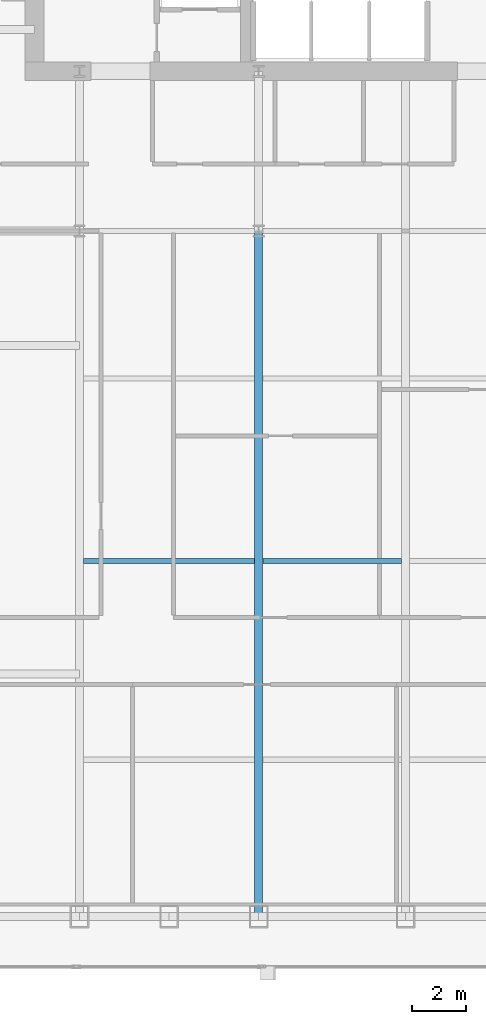
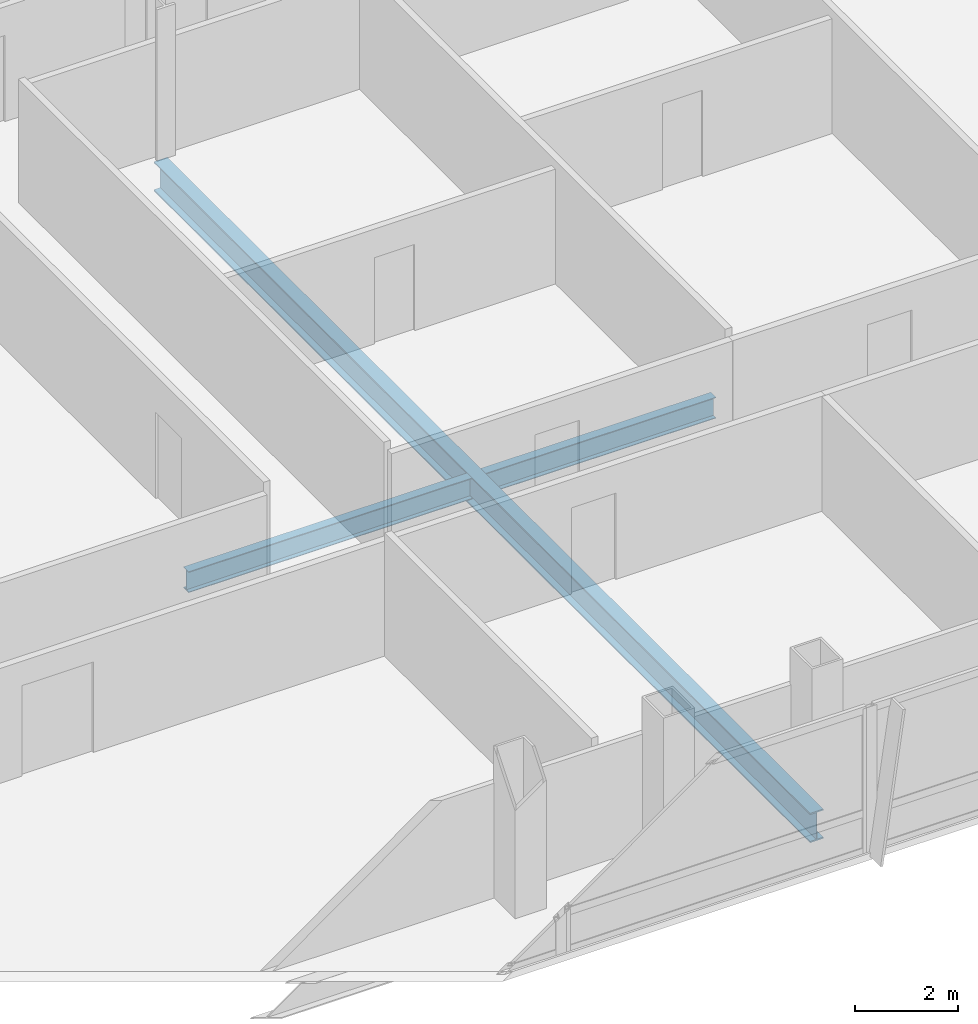
# One storey, part 9 of 29: 3 beams.
"""IFC4 building model written with IfcOpenShell, lengths in metres."""

from ifc_helpers import new_model, si_unit, direction, frame, origin, origin_2d, place, context, subcontext, project, spatial, i_section, extrude, material, material_profile, profile_set, type_object, element, save


model = new_model("IFC4")

# Units and contexts
model_context = context("Model", 3, precision=1e-05, world=origin(), true_north=direction((0.0, 1.0)))
body_context = subcontext(model_context, "Body", "Model", "MODEL_VIEW")
ifc_project = project(units=[si_unit("LENGTHUNIT", "METRE"), si_unit("AREAUNIT", "SQUARE_METRE"), si_unit("VOLUMEUNIT", "CUBIC_METRE"), si_unit("PLANEANGLEUNIT", "RADIAN"), si_unit("MASSUNIT", "GRAM", prefix="KILO")], contexts=[model_context])

# Site, building, storey
site_placement = place(None, origin())
site = spatial("IfcSite", under=ifc_project, at=site_placement, CompositionType="ELEMENT")
building_placement = place(site_placement, origin())
building = spatial("IfcBuilding", under=site, at=building_placement, Name="Khoronbel Lancet Exchange", CompositionType="ELEMENT")
storey_placement = place(building_placement, frame((0.0, 0.0, 150.60009765625)))
storey = spatial("IfcBuildingStorey", under=building, at=storey_placement, Name="L37", CompositionType="ELEMENT", Elevation=150.60009765625)

# Beams
ifc_material = material(Name="Steel S355", Category="steel")
ifc_material_profile_1 = material_profile(ifc_material, i_section(OverallWidth=0.300048828125, OverallDepth=0.699951171875, WebThickness=0.01708984375, FlangeThickness=0.031982421875, at=origin_2d()), Name="HEB 700")
ifc_profile_set_1 = profile_set([ifc_material_profile_1], Name="Steel S355")
beam_type_1 = type_object("IfcBeamType", Name="BM-BG3", PredefinedType="BEAM", material=ifc_profile_set_1)
beam_1_placement = place(storey_placement, frame((24.89990234375, 10.14990234375, -0.510009765625), z_axis=(0.0, 1.0, 0.0), x_axis=(-1.0, 0.0, 0.0)))
element("IfcBeam", 1, at=beam_1_placement, inside=storey, type_object=beam_type_1, Name="Level L37 south primary girder GS2", PredefinedType="BEAM", context=body_context, shape_type="SweptSolid", body=[
    extrude(i_section(OverallWidth=0.300048828125, OverallDepth=0.699951171875, WebThickness=0.01708984375, FlangeThickness=0.031982421875, at=origin_2d()), origin(), (0.0, 0.0, 1.0), 25.550048828125),
])
ifc_material_profile_2 = material_profile(ifc_material, i_section(OverallWidth=0.199951171875, OverallDepth=0.5, WebThickness=0.01025390625, FlangeThickness=0.01611328125, at=origin_2d()), Name="IPE 500")
ifc_profile_set_2 = profile_set([ifc_material_profile_2], Name="Steel S355")
beam_type_2 = type_object("IfcBeamType", Name="BM-BJ3", PredefinedType="JOIST", material=ifc_profile_set_2)
beam_2_placement = place(storey_placement, frame((18.375, 23.39990234375, -0.41015625), z_axis=(1.0, 0.0, 0.0), x_axis=(0.0, 1.0, 0.0)))
element("IfcBeam", 2, at=beam_2_placement, inside=storey, type_object=beam_type_2, Name="Level L37 secondary composite joist J06", PredefinedType="JOIST", context=body_context, shape_type="SweptSolid", body=[
    extrude(i_section(OverallWidth=0.199951171875, OverallDepth=0.5, WebThickness=0.01025390625, FlangeThickness=0.01611328125, at=origin_2d()), origin(), (0.0, 0.0, 1.0), 6.375),
])
beam_3_placement = place(storey_placement, frame((25.050048828125, 23.39990234375, -0.41015625), z_axis=(1.0, 0.0, 0.0), x_axis=(0.0, 1.0, 0.0)))
element("IfcBeam", 3, at=beam_3_placement, inside=storey, type_object=beam_type_2, Name="Level L37 secondary composite joist J07", PredefinedType="JOIST", context=body_context, shape_type="SweptSolid", body=[
    extrude(i_section(OverallWidth=0.199951171875, OverallDepth=0.5, WebThickness=0.01025390625, FlangeThickness=0.01611328125, at=origin_2d()), origin(), (0.0, 0.0, 1.0), 5.175048828125),
])

save(model, "model.ifc")
